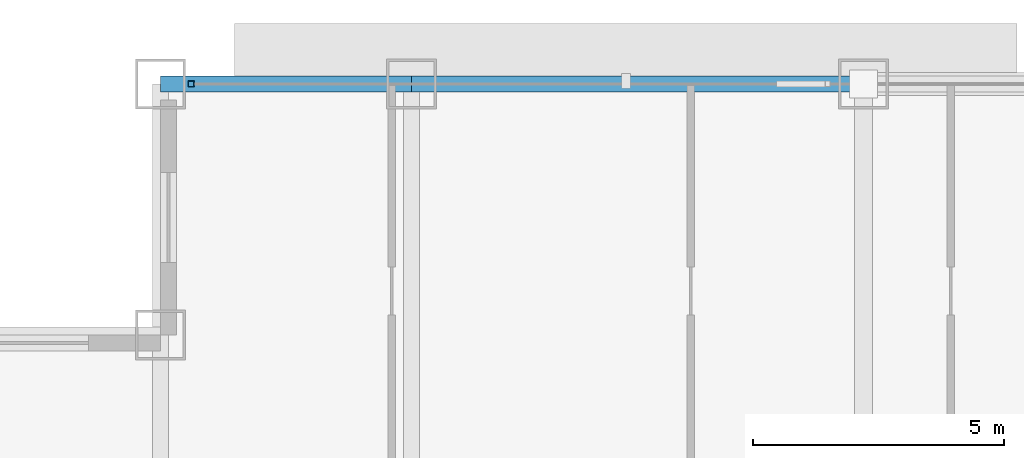
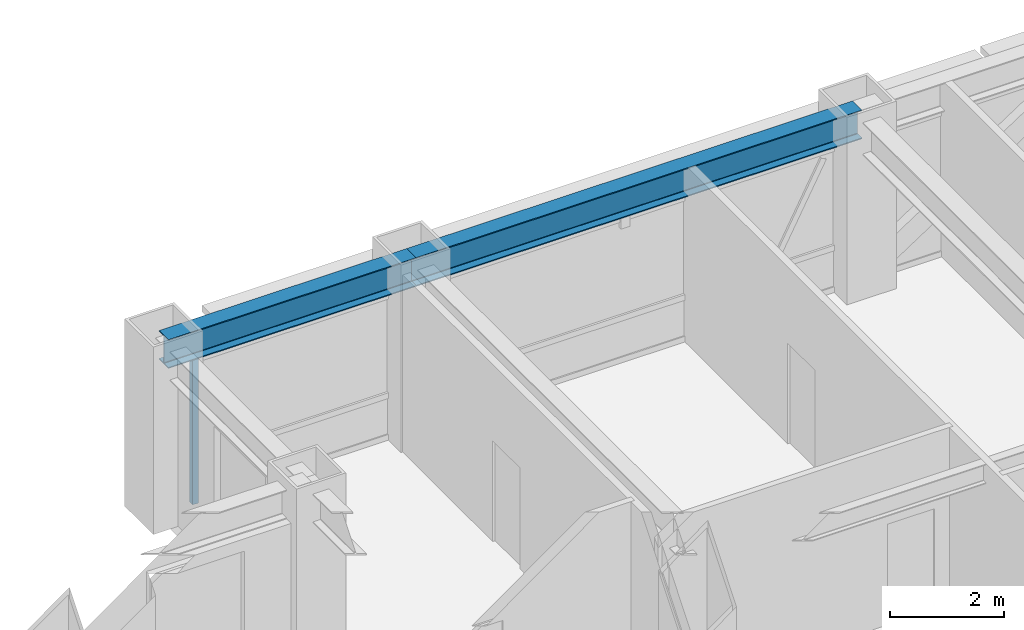
# One storey, part 14 of 29: 2 beams, 1 member, 1 element without a shape of its own.
"""IFC4 building model written with IfcOpenShell, lengths in metres."""

import ifcopenshell
import ifcopenshell.guid

model = None  # the IFC model being written
_history = None  # IfcOwnerHistory: only IFC2X3 demands one
_inside = {}  # id of a spatial element -> (the spatial element, [elements in it])
_under = {}  # id of a project, library or spatial element -> (it, [spatial elements below it])
_declared = {}  # id of a project -> (the project, [libraries it declares])
_typed = {}  # id of a type object -> (the type object, [elements of that type])
_made_of = {}  # id of a material, layer set ... -> (it, [elements and type objects made of it])


def new_model(schema):
    """Start an empty IFC model of exactly this schema.

    Asked for "IFC4X3", IfcOpenShell would pick the latest addendum, in which some entities
    have other attributes; the version numbers below select the first issue.
    IFC2X3 requires an IfcOwnerHistory on every rooted entity: one is made here for all.
    """
    global model, _history
    if schema == "IFC4X3":
        model = ifcopenshell.file(schema_version=(4, 3, 0, 0))
    else:
        model = ifcopenshell.file(schema=schema)
    _inside.clear()
    _under.clear()
    _declared.clear()
    _typed.clear()
    _made_of.clear()
    _history = None
    if model.schema == "IFC2X3":
        org = make("IfcOrganization", Name="unknown")
        user = make(
            "IfcPersonAndOrganization",
            ThePerson=make("IfcPerson", FamilyName="unknown"),
            TheOrganization=org,
        )
        app = make(
            "IfcApplication",
            ApplicationDeveloper=org,
            Version="unknown",
            ApplicationFullName="unknown",
            ApplicationIdentifier="unknown",
        )
        _history = make(
            "IfcOwnerHistory",
            OwningUser=user,
            OwningApplication=app,
            ChangeAction="ADDED",
            CreationDate=0,
        )
    return model


def make(cls, **values):
    """One entity of the class cls with the attributes given. An attribute that is None is left unset."""
    return model.create_entity(
        cls, **{name: value for name, value in values.items() if value is not None}
    )


def rooted(cls, **values):
    """An entity with a GlobalId (a new one), such as an element, a storey or a relation."""
    return make(cls, GlobalId=ifcopenshell.guid.new(), OwnerHistory=_history, **values)


def si_unit(unit_type, name, prefix=None):
    """IfcSIUnit, for example si_unit("LENGTHUNIT", "METRE", prefix="MILLI")."""
    return make("IfcSIUnit", UnitType=unit_type, Prefix=prefix, Name=name)


def assignment(units):
    """IfcUnitAssignment: the units of a project."""
    return None if units is None else make("IfcUnitAssignment", Units=units)


def point(xyz):
    """IfcCartesianPoint."""
    return None if xyz is None else make("IfcCartesianPoint", Coordinates=xyz)


def direction(xyz):
    """IfcDirection."""
    return None if xyz is None else make("IfcDirection", DirectionRatios=xyz)


def frame(location, z_axis=None, x_axis=None):
    """IfcAxis2Placement3D, a coordinate frame: its origin and axes. An axis left out is left unset."""
    return make(
        "IfcAxis2Placement3D",
        Location=point(location),
        Axis=direction(z_axis),
        RefDirection=direction(x_axis),
    )


def frame_2d(location, x_axis=None):
    """IfcAxis2Placement2D, a coordinate frame in the plane: its origin and x axis."""
    return make(
        "IfcAxis2Placement2D", Location=point(location), RefDirection=direction(x_axis)
    )


def origin():
    """The frame at (0, 0, 0) with its axes left unset."""
    return frame((0.0, 0.0, 0.0))


def origin_2d():
    """The frame at (0, 0) in the plane with its x axis left unset."""
    return frame_2d((0.0, 0.0))


def place(relative_to, where):
    """IfcLocalPlacement: puts the frame where relative to a parent placement (None: the world)."""
    return make(
        "IfcLocalPlacement", PlacementRelTo=relative_to, RelativePlacement=where
    )


def context(
    kind, dimensions, precision=None, world=None, true_north=None, identifier=None
):
    """IfcGeometricRepresentationContext, for example the 3D "Model" context."""
    return make(
        "IfcGeometricRepresentationContext",
        ContextIdentifier=identifier,
        ContextType=kind,
        CoordinateSpaceDimension=dimensions,
        Precision=precision,
        WorldCoordinateSystem=world,
        TrueNorth=true_north,
    )


def subcontext(parent, identifier, kind, view, scale=None):
    """IfcGeometricRepresentationSubContext, for example "Body" below "Model"."""
    return make(
        "IfcGeometricRepresentationSubContext",
        ContextIdentifier=identifier,
        ContextType=kind,
        ParentContext=parent,
        TargetScale=scale,
        TargetView=view,
    )


def project(units=None, contexts=None):
    """IfcProject with its units and contexts."""
    return rooted(
        "IfcProject",
        Name="project",
        RepresentationContexts=contexts,
        UnitsInContext=assignment(units),
    )


def spatial(cls, under=None, at=None, **own):
    """A site, building, storey or space (cls), placed at a placement, below another one or the project."""
    s = rooted(cls, ObjectPlacement=at, **own)
    if under is not None:
        _under.setdefault(under.id(), (under, []))[1].append(s)
    return s


def profile(cls, at=None, kind="AREA", **sizes):
    """A parametric profile (cls). Its sizes go by their IFC names, for example OverallWidth=200.0."""
    return make(cls, ProfileType=kind, Position=at, **sizes)


def hollow_rectangle(**sizes):
    """IfcRectangleHollowProfileDef."""
    return profile("IfcRectangleHollowProfileDef", **sizes)


def i_section(**sizes):
    """IfcIShapeProfileDef."""
    return profile("IfcIShapeProfileDef", **sizes)


def extrude(swept, where, along, depth):
    """IfcExtrudedAreaSolid: the profile swept, set in the frame where, extruded along a direction by depth."""
    return make(
        "IfcExtrudedAreaSolid",
        SweptArea=swept,
        Position=where,
        ExtrudedDirection=direction(along),
        Depth=depth,
    )


def shape(context_of_items, identifier, shape_type, items):
    """IfcShapeRepresentation: the items that make up one representation, for example the "Body"."""
    return make(
        "IfcShapeRepresentation",
        ContextOfItems=context_of_items,
        RepresentationIdentifier=identifier,
        RepresentationType=shape_type,
        Items=items,
    )


def source(mapping_origin, context_of_items, identifier, shape_type, items):
    """IfcRepresentationMap: a shape defined once, which mapped items show again and again."""
    return make(
        "IfcRepresentationMap",
        MappingOrigin=mapping_origin,
        MappedRepresentation=shape(context_of_items, identifier, shape_type, items),
    )


def transform(
    local_origin,
    x_axis=None,
    y_axis=None,
    z_axis=None,
    scale=None,
    scale2=None,
    scale3=None,
    uniform=True,
):
    """IfcCartesianTransformationOperator3D, or its non-uniform kind. x_axis, y_axis, z_axis: its Axis1, 2, 3."""
    if uniform:
        return make(
            "IfcCartesianTransformationOperator3D",
            Axis1=direction(x_axis),
            Axis2=direction(y_axis),
            LocalOrigin=point(local_origin),
            Scale=scale,
            Axis3=direction(z_axis),
        )
    return make(
        "IfcCartesianTransformationOperator3DnonUniform",
        Axis1=direction(x_axis),
        Axis2=direction(y_axis),
        LocalOrigin=point(local_origin),
        Scale=scale,
        Axis3=direction(z_axis),
        Scale2=scale2,
        Scale3=scale3,
    )


def mapped(mapping_source, mapping_target):
    """IfcMappedItem: shows the shape of a source again, moved by a transform."""
    return make(
        "IfcMappedItem", MappingSource=mapping_source, MappingTarget=mapping_target
    )


def material(Name=None, Category=None):
    """IfcMaterial."""
    return make("IfcMaterial", Name=Name, Category=Category)


def material_profile(
    of_material, cross_section, Name=None, Category=None, Priority=None
):
    """IfcMaterialProfile: a cross section and its material."""
    return make(
        "IfcMaterialProfile",
        Name=Name,
        Material=of_material,
        Profile=cross_section,
        Priority=Priority,
        Category=Category,
    )


def profile_set(profiles, Name=None, composite=None):
    """IfcMaterialProfileSet."""
    return make(
        "IfcMaterialProfileSet",
        Name=Name,
        MaterialProfiles=profiles,
        CompositeProfile=composite,
    )


def made_of(thing, what):
    """Note that an element or type object is made of a material, layer set ...; save() writes the relation."""
    if what is not None:
        _made_of.setdefault(what.id(), (what, []))[1].append(thing)
    return thing


def type_object(cls, material=None, **own):
    """A type object (cls), such as IfcWallType, which elements share."""
    return made_of(rooted(cls, **own), material)


def element(
    cls,
    number,
    at=None,
    inside=None,
    cuts=None,
    type_object=None,
    material=None,
    context=None,
    identifier="Body",
    shape_type=None,
    held_by="IfcProductDefinitionShape",
    body=None,
    shapes=None,
    **own,
):
    """One element of the class cls, such as IfcWall. Its Tag is "e" and its number.

    at: its placement. inside: the storey or other place that contains it. cuts: it is an
    opening in that element (IfcRelVoidsElement). A single representation is given by context,
    identifier, shape_type and body (its items); several are given by shapes. held_by: the class
    of the entity that holds the representations. save() writes the other relations.
    """
    e = rooted(cls, Tag="e%d" % number, ObjectPlacement=at, **own)
    if body is not None:
        shapes = [shape(context, identifier, shape_type, body)]
    if shapes is not None:
        e.Representation = make(held_by, Representations=shapes)
    if inside is not None:
        _inside.setdefault(inside.id(), (inside, []))[1].append(e)
    if cuts is not None:
        rooted(
            "IfcRelVoidsElement", RelatingBuildingElement=cuts, RelatedOpeningElement=e
        )
    if type_object is not None:
        _typed.setdefault(type_object.id(), (type_object, []))[1].append(e)
    return made_of(e, material)


def aggregate(whole, parts):
    """IfcRelAggregates: a whole, such as a stair, and the parts it consists of."""
    return rooted("IfcRelAggregates", RelatingObject=whole, RelatedObjects=parts)


def save(model, path):
    """Write the relations noted so far, then the file.

    IfcRelAggregates (storeys below a building ...), IfcRelContainedInSpatialStructure (elements
    in a storey), IfcRelDefinesByType, IfcRelAssociatesMaterial and IfcRelDeclares: one each for
    every whole, place, type object, material and project.
    """
    for whole, parts in _under.values():
        aggregate(whole, parts)
    for where, things in _inside.values():
        rooted(
            "IfcRelContainedInSpatialStructure",
            RelatedElements=things,
            RelatingStructure=where,
        )
    for kind, things in _typed.values():
        rooted("IfcRelDefinesByType", RelatedObjects=things, RelatingType=kind)
    for what, things in _made_of.values():
        rooted("IfcRelAssociatesMaterial", RelatedObjects=things, RelatingMaterial=what)
    for by, libraries in _declared.values():
        rooted("IfcRelDeclares", RelatingContext=by, RelatedDefinitions=libraries)
    model.write(path)


model = new_model("IFC4")

# Units and contexts
model_context = context("Model", 3, precision=1e-05, world=origin(), true_north=direction((0.0, 1.0)))
body_context = subcontext(model_context, "Body", "Model", "MODEL_VIEW")
ifc_project = project(units=[si_unit("LENGTHUNIT", "METRE"), si_unit("AREAUNIT", "SQUARE_METRE"), si_unit("VOLUMEUNIT", "CUBIC_METRE"), si_unit("PLANEANGLEUNIT", "RADIAN"), si_unit("MASSUNIT", "GRAM", prefix="KILO")], contexts=[model_context])

# Site, building, storey
site_placement = place(None, origin())
site = spatial("IfcSite", under=ifc_project, at=site_placement, CompositionType="ELEMENT")
building_placement = place(site_placement, origin())
building = spatial("IfcBuilding", under=site, at=building_placement, Name="Khorayat Bourse Tower", CompositionType="ELEMENT")
storey_placement = place(building_placement, frame((0.0, 0.0, 235.10009765625)))
storey = spatial("IfcBuildingStorey", under=building, at=storey_placement, Name="L55", CompositionType="ELEMENT", Elevation=235.10009765625)

# Beams
ifc_material_1 = material(Name="Steel ASTM A992 Grade 50", Category="steel")
ifc_material_profile_1 = material_profile(ifc_material_1, i_section(OverallWidth=0.324951171875, OverallDepth=0.615966796875, WebThickness=0.013916015625, FlangeThickness=0.021484375, FilletRadius=0.01611328125, at=origin_2d()), Name="W610X174")
ifc_profile_set_1 = profile_set([ifc_material_profile_1], Name="Steel ASTM A992 Grade 50")
beam_type = type_object("IfcBeamType", Name="BM-SPAN-610", PredefinedType="SPANDREL", material=ifc_profile_set_1)
shared_shape_1 = source(origin(), body_context, "Body", "SweptSolid", [
    extrude(i_section(OverallWidth=0.324951171875, OverallDepth=0.615966796875, WebThickness=0.013916015625, FlangeThickness=0.021484375, FilletRadius=0.01611328125, at=origin_2d()), origin(), (0.0, 0.0, 1.0), 9.0),
])
beam_1_placement = place(storey_placement, frame((-20.0, 30.0, 3.471923828125), z_axis=(1.0, 0.0, 0.0), x_axis=(0.0, 1.0, 0.0)))
element("IfcBeam", 1, at=beam_1_placement, inside=storey, type_object=beam_type, Name="L55 BM-SPAN-610 BM-L55-SPN-050", PredefinedType="SPANDREL", context=body_context, shape_type="MappedRepresentation", body=[
    mapped(shared_shape_1, transform((0.0, 0.0, 0.0), scale=1.0)),
])
shared_shape_2 = source(origin(), body_context, "Body", "SweptSolid", [
    extrude(i_section(OverallWidth=0.324951171875, OverallDepth=0.615966796875, WebThickness=0.013916015625, FlangeThickness=0.021484375, FilletRadius=0.01611328125, at=origin_2d()), origin(), (0.0, 0.0, 1.0), 5.0),
])
beam_2_placement = place(storey_placement, frame((-25.0, 30.0, 3.471923828125), z_axis=(1.0, 0.0, 0.0), x_axis=(0.0, 1.0, 0.0)))
element("IfcBeam", 2, at=beam_2_placement, inside=storey, type_object=beam_type, Name="L55 BM-SPAN-610 BM-L55-SPN-051", PredefinedType="SPANDREL", context=body_context, shape_type="MappedRepresentation", body=[
    mapped(shared_shape_2, transform((0.0, 0.0, 0.0), scale=1.0)),
])

# Curtain wall, member
ifc_material_2 = material(Name="Aluminium EN AW-6063 T6", Category="aluminium")
curtain_wall_type = type_object("IfcCurtainWallType", Name="CW-SYS-03", PredefinedType="NOTDEFINED", material=ifc_material_2)
curtain_wall_placement = place(storey_placement, origin())
curtain_wall = element("IfcCurtainWall", 3, at=curtain_wall_placement, inside=storey, type_object=curtain_wall_type, Name="L55 Curtain Wall CW-L55-N1", PredefinedType="NOTDEFINED")
ifc_material_profile_2 = material_profile(ifc_material_2, hollow_rectangle(XDim=0.1201171875, YDim=0.1201171875, WallThickness=0.0048828125, at=origin_2d()), Name="ALU 120x120x5")
ifc_profile_set_2 = profile_set([ifc_material_profile_2], Name="Aluminium EN AW-6063 T6")
member_type = type_object("IfcMemberType", Name="CWM-VERT-120", PredefinedType="MULLION", material=ifc_profile_set_2)
shared_shape_3 = source(origin(), body_context, "Body", "SweptSolid", [
    extrude(hollow_rectangle(XDim=0.1201171875, YDim=0.1201171875, WallThickness=0.0048828125, at=origin_2d()), origin(), (0.0, 0.0, 1.0), 3.1298828125),
])
member_placement = place(storey_placement, frame((-24.389892578125, 30.0, 0.0), z_axis=(0.0, 0.0, 1.0), x_axis=(0.0, 1.0, 0.0)))
member = element("IfcMember", 4, at=member_placement, type_object=member_type, Name="CW-L55-N1 Vertical Mullion 1", PredefinedType="MULLION", context=body_context, shape_type="MappedRepresentation", body=[
    mapped(shared_shape_3, transform((0.0, 0.0, 0.0), scale=1.0)),
])
aggregate(curtain_wall, [member])

save(model, "model.ifc")
